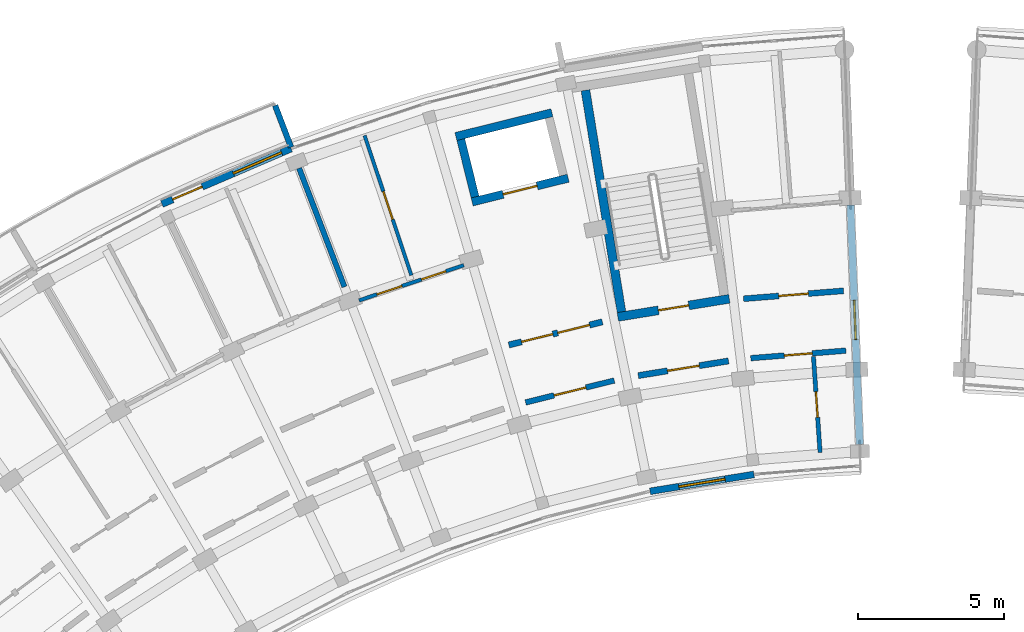
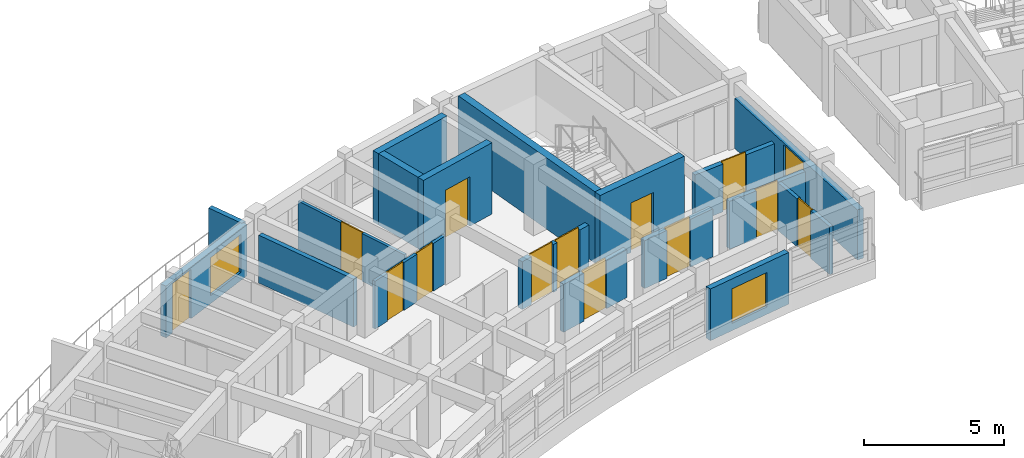
# One storey, part 26 of 40: 18 walls, 13 doors, 3 windows, 16 openings.
"""IFC4 building model written with IfcOpenShell, lengths in metres."""

from ifc_helpers import new_model, si_unit, direction, frame, frame_2d, origin, place, context, subcontext, project, spatial, rectangle, extrude, material, layer, layer_set, type_object, element, fill, save


model = new_model("IFC4")

# Units and contexts
model_context = context("Model", 3, precision=1e-05, world=origin(), true_north=direction((0.0, 1.0)))
body_context = subcontext(model_context, "Body", "Model", "MODEL_VIEW")
ifc_project = project(units=[si_unit("LENGTHUNIT", "METRE"), si_unit("AREAUNIT", "SQUARE_METRE"), si_unit("VOLUMEUNIT", "CUBIC_METRE"), si_unit("PLANEANGLEUNIT", "RADIAN"), si_unit("MASSUNIT", "GRAM", prefix="KILO")], contexts=[model_context])

# Site, building, storey
site_placement = place(None, origin())
site = spatial("IfcSite", under=ifc_project, at=site_placement, CompositionType="ELEMENT")
building_placement = place(site_placement, origin())
building = spatial("IfcBuilding", under=site, at=building_placement, Name="Zimvara Arc Housing Community", CompositionType="ELEMENT")
storey_placement = place(building_placement, frame((0.0, 0.0, 32.89990234375)))
storey = spatial("IfcBuildingStorey", under=building, at=storey_placement, Name="L10", CompositionType="ELEMENT", Elevation=32.89990234375)

# Wall, opening, window
ifc_material_1 = material(Name="Board-Marked Fair-Faced Concrete C35/45", Category="concrete")
ifc_layer_1 = layer(ifc_material_1, 0.22998046875)
ifc_layer_set_1 = layer_set([ifc_layer_1], Name="Board-Marked Fair-Faced Concrete C35/45")
wall_type_1 = type_object("IfcWallType", Name="EWL-CONC-230", PredefinedType="SOLIDWALL", material=ifc_layer_set_1)
wall_1_placement = place(storey_placement, frame((36.078125, 88.218017578125, 0.0), z_axis=(0.0, 0.0, 1.0), x_axis=(0.987080874485, 0.160222804952, 0.0)))
wall_1 = element("IfcWall", 1, at=wall_1_placement, inside=storey, type_object=wall_type_1, Name="ewall:blkA:L10:in:b8", PredefinedType="SOLIDWALL", context=body_context, shape_type="SweptSolid", body=[
    extrude(rectangle(XDim=3.603759765625, YDim=0.22998046875, at=frame_2d((1.8017578125, 0.0))), origin(), (0.0, 0.0, 1.0), 2.25),
])
opening_1_placement = place(wall_1_placement, frame((1.001708984375, 0.0, 0.320068359375)))
opening_1 = element("IfcOpeningElement", 2, at=opening_1_placement, cuts=wall_1, Name="Opening W03", PredefinedType="OPENING", context=body_context, shape_type="SweptSolid", body=[
    extrude(rectangle(XDim=1.60009765625, YDim=1.5, at=frame_2d((0.800048828125, 0.75))), frame((0.0, 0.125, 0.0), z_axis=(0.0, -1.0, 0.0), x_axis=(1.0, 0.0, 0.0)), (0.0, 0.0, 1.0), 0.25),
])
ifc_material_2 = material(Name="Solar Control Low-E Double Glazing", Category="glass")
window_type_1 = type_object("IfcWindowType", Name="WIN-RES-1600x1500", PartitioningType="DOUBLE_PANEL_VERTICAL", PredefinedType="WINDOW", material=ifc_material_2)
window_1_placement = place(opening_1_placement, origin())
window_1 = element("IfcWindow", 3, at=window_1_placement, inside=storey, type_object=window_type_1, Name="win:blkA:L10:in:b8", OverallHeight=1.5, OverallWidth=1.60009765625, PartitioningType="DOUBLE_PANEL_VERTICAL", PredefinedType="WINDOW", context=body_context, shape_type="SweptSolid", body=[
    extrude(rectangle(XDim=1.60009765625, YDim=1.5, at=frame_2d((0.800048828125, 0.75))), frame((0.0, 0.030029296875, 0.0), z_axis=(0.0, -1.0, 0.0), x_axis=(1.0, 0.0, 0.0)), (0.0, 0.0, 1.0), 0.06005859375),
])
fill(opening_1, window_1)

ifc_material_3 = material(Name="Board-Marked Fair-Faced Concrete C35/45", Category="concrete")
ifc_layer_2 = layer(ifc_material_3, 0.2548828125)
ifc_layer_set_2 = layer_set([ifc_layer_2], Name="Board-Marked Fair-Faced Concrete C35/45")
wall_type_2 = type_object("IfcWallType", Name="EWL-CONC-255", PredefinedType="SOLIDWALL", material=ifc_layer_set_2)
wall_2_placement = place(storey_placement, frame((43.2587890625, 89.82666015625, 0.0), z_axis=(0.0, 0.0, 1.0), x_axis=(-0.038407966241, 0.999262141847, 0.0)))
wall_2 = element("IfcWall", 4, at=wall_2_placement, inside=storey, type_object=wall_type_2, Name="ewall:blkA:L10:gN", PredefinedType="SOLIDWALL", context=body_context, shape_type="SweptSolid", body=[
    extrude(rectangle(XDim=8.199951171875, YDim=0.2548828125, at=frame_2d((4.10009765625, 0.0))), origin(), (0.0, 0.0, 1.0), 2.18017578125),
])
opening_2_placement = place(wall_2_placement, frame((3.590087890625, 0.0, 0.75)))
opening_2 = element("IfcOpeningElement", 5, at=opening_2_placement, cuts=wall_2, Name="Opening W12", PredefinedType="OPENING", context=body_context, shape_type="SweptSolid", body=[
    extrude(rectangle(XDim=1.35009765625, YDim=1.35009765625, at=frame_2d((0.675048828125, 0.675048828125))), frame((0.0, 0.137451171875, 0.0), z_axis=(0.0, -1.0, 0.0), x_axis=(1.0, 0.0, 0.0)), (0.0, 0.0, 1.0), 0.27490234375),
])
ifc_material_4 = material(Name="Solar Control Low-E Double Glazing", Category="glass")
window_type_2 = type_object("IfcWindowType", Name="WIN-RES-1350x1350", PartitioningType="DOUBLE_PANEL_VERTICAL", PredefinedType="WINDOW", material=ifc_material_4)
window_2_placement = place(opening_2_placement, origin())
window_2 = element("IfcWindow", 6, at=window_2_placement, inside=storey, type_object=window_type_2, Name="win:blkA:L10:gN:w", OverallHeight=1.35009765625, OverallWidth=1.35009765625, PartitioningType="DOUBLE_PANEL_VERTICAL", PredefinedType="WINDOW", context=body_context, shape_type="SweptSolid", body=[
    extrude(rectangle(XDim=1.35009765625, YDim=1.35009765625, at=frame_2d((0.675048828125, 0.675048828125))), frame((0.0, 0.030029296875, 0.0), z_axis=(0.0, -1.0, 0.0), x_axis=(1.0, 0.0, 0.0)), (0.0, 0.0, 1.0), 0.06005859375),
])
fill(opening_2, window_2)

# Wall
ifc_material_5 = material(Name="Board-Marked Fair-Faced Concrete C35/45", Category="concrete")
ifc_layer_3 = layer(ifc_material_5, 0.195068359375)
ifc_layer_set_3 = layer_set([ifc_layer_3], Name="Board-Marked Fair-Faced Concrete C35/45")
wall_type_3 = type_object("IfcWallType", Name="EWL-PARA-195", PredefinedType="PARAPET", material=ifc_layer_set_3)
wall_3_placement = place(storey_placement, frame((23.783203125, 100.0029296875, 0.0), z_axis=(0.0, 0.0, 1.0), x_axis=(-0.356957296461, 0.934120703391, 0.0)))
element("IfcWall", 7, at=wall_3_placement, inside=storey, type_object=wall_type_3, Name="finwall:blkA:L10:out:b6", PredefinedType="PARAPET", context=body_context, shape_type="SweptSolid", body=[
    extrude(rectangle(XDim=1.530029296875, YDim=0.195068359375, at=frame_2d((0.76513671875, 0.0))), origin(), (0.0, 0.0, 1.0), 2.25),
])

# Wall, openings, door, window
ifc_material_6 = material(Name="Board-Marked Fair-Faced Concrete C35/45", Category="concrete")
ifc_layer_4 = layer(ifc_material_6, 0.241943359375)
ifc_layer_set_4 = layer_set([ifc_layer_4], Name="Board-Marked Fair-Faced Concrete C35/45")
wall_type_4 = type_object("IfcWallType", Name="EWL-VAR-16", PredefinedType="SOLIDWALL", material=ifc_layer_set_4)
wall_4_placement = place(storey_placement, frame((19.361083984375, 98.05859375, 0.0), z_axis=(0.0, 0.0, 1.0), x_axis=(0.918711189033, 0.394930058548, 0.0)))
wall_4 = element("IfcWall", 8, at=wall_4_placement, inside=storey, type_object=wall_type_4, Name="ewall:blkA:L10:out:b5", PredefinedType="SOLIDWALL", context=body_context, shape_type="SweptSolid", body=[
    extrude(rectangle(XDim=4.808837890625, YDim=0.241943359375, at=frame_2d((2.404296875, 0.0))), origin(), (0.0, 0.0, 1.0), 2.25),
])
opening_3_placement = place(wall_4_placement, frame((0.39990234375, 0.0, 0.0)))
opening_3 = element("IfcOpeningElement", 9, at=opening_3_placement, cuts=wall_4, Name="Opening ED06", PredefinedType="OPENING", context=body_context, shape_type="SweptSolid", body=[
    extrude(rectangle(XDim=1.10009765625, YDim=2.14990234375, at=frame_2d((0.550048828125, 1.074951171875))), frame((0.0, 0.130859375, 0.0), z_axis=(0.0, -1.0, 0.0), x_axis=(1.0, 0.0, 0.0)), (0.0, 0.0, 1.0), 0.261962890625),
])
opening_4_placement = place(wall_4_placement, frame((2.658935546875, 0.0, 0.35009765625)))
opening_4 = element("IfcOpeningElement", 10, at=opening_4_placement, cuts=wall_4, Name="Opening W08", PredefinedType="OPENING", context=body_context, shape_type="SweptSolid", body=[
    extrude(rectangle(XDim=1.800048828125, YDim=1.64990234375, at=frame_2d((0.89990234375, 0.824951171875))), frame((0.0, 0.130859375, 0.0), z_axis=(0.0, -1.0, 0.0), x_axis=(1.0, 0.0, 0.0)), (0.0, 0.0, 1.0), 0.261962890625),
])
ifc_material_7 = material(Name="Anodised Aluminium AW-6063", Category="aluminium")
door_type_1 = type_object("IfcDoorType", Name="EDR-TERR-1100x2150", OperationType="NOTDEFINED", PredefinedType="DOOR", material=ifc_material_7)
door_1_placement = place(opening_3_placement, origin())
door_1 = element("IfcDoor", 11, at=door_1_placement, inside=storey, type_object=door_type_1, Name="edoor:blkA:L10:bal_out:b5", OperationType="SINGLE_SWING_LEFT", OverallHeight=2.14990234375, OverallWidth=1.10009765625, PredefinedType="DOOR", context=body_context, shape_type="SweptSolid", body=[
    extrude(rectangle(XDim=1.10009765625, YDim=2.14990234375, at=frame_2d((0.550048828125, 1.074951171875))), frame((0.0, 0.02490234375, 0.0), z_axis=(0.0, -1.0, 0.0), x_axis=(1.0, 0.0, 0.0)), (0.0, 0.0, 1.0), 0.050048828125),
])
fill(opening_3, door_1)
ifc_material_8 = material(Name="Solar Control Low-E Double Glazing", Category="glass")
window_type_3 = type_object("IfcWindowType", Name="WIN-RES-1800x1650", PartitioningType="TRIPLE_PANEL_VERTICAL", PredefinedType="WINDOW", material=ifc_material_8)
window_3_placement = place(opening_4_placement, origin())
window_3 = element("IfcWindow", 12, at=window_3_placement, inside=storey, type_object=window_type_3, Name="win:blkA:L10:out:b5:balw", OverallHeight=1.64990234375, OverallWidth=1.800048828125, PartitioningType="TRIPLE_PANEL_VERTICAL", PredefinedType="WINDOW", context=body_context, shape_type="SweptSolid", body=[
    extrude(rectangle(XDim=1.800048828125, YDim=1.64990234375, at=frame_2d((0.89990234375, 0.824951171875))), frame((0.0, 0.030029296875, 0.0), z_axis=(0.0, -1.0, 0.0), x_axis=(1.0, 0.0, 0.0)), (0.0, 0.0, 1.0), 0.06005859375),
])
fill(opening_4, window_3)

# Wall, openings, doors
ifc_material_9 = material(Name="Concrete C35/45", Category="concrete")
ifc_layer_5 = layer(ifc_material_9, 0.2099609375)
ifc_layer_set_5 = layer_set([ifc_layer_5], Name="Concrete C35/45")
wall_type_5 = type_object("IfcWallType", Name="IWL-CCF-210", PredefinedType="SOLIDWALL", material=ifc_layer_set_5)
wall_5_placement = place(storey_placement, frame((31.242919921875, 93.22998046875, 0.0), z_axis=(0.0, 0.0, 1.0), x_axis=(0.970719238682, 0.240216901263, 0.0)))
wall_5 = element("IfcWall", 13, at=wall_5_placement, inside=storey, type_object=wall_type_5, Name="iwall:blkA:L10:ll_div:b7", PredefinedType="SOLIDWALL", context=body_context, shape_type="SweptSolid", body=[
    extrude(rectangle(XDim=3.2958984375, YDim=0.2099609375, at=frame_2d((1.64794921875, 0.0))), origin(), (0.0, 0.0, 1.0), 2.080078125),
])
opening_5_placement = place(wall_5_placement, frame((0.449951171875, 0.0, 0.0)))
opening_5 = element("IfcOpeningElement", 14, at=opening_5_placement, cuts=wall_5, Name="Opening FD-CCF1", PredefinedType="OPENING", context=body_context, shape_type="SweptSolid", body=[
    extrude(rectangle(XDim=1.10009765625, YDim=2.14990234375, at=frame_2d((0.550048828125, 1.074951171875))), frame((0.0, 0.114990234375, 0.0), z_axis=(0.0, -1.0, 0.0), x_axis=(1.0, 0.0, 0.0)), (0.0, 0.0, 1.0), 0.22998046875),
])
opening_6_placement = place(wall_5_placement, frame((1.72607421875, 0.0, 0.0)))
opening_6 = element("IfcOpeningElement", 15, at=opening_6_placement, cuts=wall_5, Name="Opening D07", PredefinedType="OPENING", context=body_context, shape_type="SweptSolid", body=[
    extrude(rectangle(XDim=1.1201171875, YDim=2.14990234375, at=frame_2d((0.56005859375, 1.074951171875))), frame((0.0, 0.114990234375, 0.0), z_axis=(0.0, -1.0, 0.0), x_axis=(1.0, 0.0, 0.0)), (0.0, 0.0, 1.0), 0.22998046875),
])
ifc_material_10 = material(Name="Mozambican Hardwood", Category="wood")
door_type_2 = type_object("IfcDoorType", Name="IDR-AMN-1120x2150", OperationType="NOTDEFINED", PredefinedType="DOOR", material=ifc_material_10)
door_2_placement = place(opening_6_placement, origin())
door_2 = element("IfcDoor", 16, at=door_2_placement, inside=storey, type_object=door_type_2, Name="idoor:blkA:L10:rs_in:b7", OperationType="SINGLE_SWING_RIGHT", OverallHeight=2.14990234375, OverallWidth=1.1201171875, PredefinedType="DOOR", context=body_context, shape_type="SweptSolid", body=[
    extrude(rectangle(XDim=1.1201171875, YDim=2.14990234375, at=frame_2d((0.56005859375, 1.074951171875))), frame((0.0, 0.02490234375, 0.0), z_axis=(0.0, -1.0, 0.0), x_axis=(1.0, 0.0, 0.0)), (0.0, 0.0, 1.0), 0.050048828125),
])
fill(opening_6, door_2)
ifc_material_11 = material(Name="Anodised Aluminium AW-6063", Category="aluminium")
door_type_3 = type_object("IfcDoorType", Name="IDR-CCF-1100x2150", OperationType="NOTDEFINED", PredefinedType="DOOR", material=ifc_material_11)
door_3_placement = place(opening_5_placement, origin())
door_3 = element("IfcDoor", 17, at=door_3_placement, inside=storey, type_object=door_type_3, Name="idoor:blkA:L10:ll_in:b7", OperationType="SINGLE_SWING_LEFT", OverallHeight=2.14990234375, OverallWidth=1.10009765625, PredefinedType="DOOR", context=body_context, shape_type="SweptSolid", body=[
    extrude(rectangle(XDim=1.10009765625, YDim=2.14990234375, at=frame_2d((0.550048828125, 1.074951171875))), frame((0.0, 0.02490234375, 0.0), z_axis=(0.0, -1.0, 0.0), x_axis=(1.0, 0.0, 0.0)), (0.0, 0.0, 1.0), 0.050048828125),
])
fill(opening_5, door_3)

# Wall, opening, door
wall_6_placement = place(storey_placement, frame((35.675537109375, 92.181396484375, 0.0), z_axis=(0.0, 0.0, 1.0), x_axis=(0.98707079686, 0.160284877599, 0.0)))
wall_6 = element("IfcWall", 18, at=wall_6_placement, inside=storey, type_object=wall_type_5, Name="iwall:blkA:L10:ccf_div:b8", PredefinedType="SOLIDWALL", context=body_context, shape_type="SweptSolid", body=[
    extrude(rectangle(XDim=3.128662109375, YDim=0.2099609375, at=frame_2d((1.564453125, 0.0))), origin(), (0.0, 0.0, 1.0), 2.080078125),
])
opening_7_placement = place(wall_6_placement, frame((1.014404296875, 0.0, 0.0)))
opening_7 = element("IfcOpeningElement", 19, at=opening_7_placement, cuts=wall_6, Name="Opening FD-CCF1", PredefinedType="OPENING", context=body_context, shape_type="SweptSolid", body=[
    extrude(rectangle(XDim=1.10009765625, YDim=2.14990234375, at=frame_2d((0.550048828125, 1.074951171875))), frame((0.0, 0.114990234375, 0.0), z_axis=(0.0, -1.0, 0.0), x_axis=(1.0, 0.0, 0.0)), (0.0, 0.0, 1.0), 0.22998046875),
])
door_4_placement = place(opening_7_placement, origin())
door_4 = element("IfcDoor", 20, at=door_4_placement, inside=storey, type_object=door_type_3, Name="idoor:blkA:L10:ccf_in:b8", OperationType="SINGLE_SWING_RIGHT", OverallHeight=2.14990234375, OverallWidth=1.10009765625, PredefinedType="DOOR", context=body_context, shape_type="SweptSolid", body=[
    extrude(rectangle(XDim=1.10009765625, YDim=2.14990234375, at=frame_2d((0.550048828125, 1.074951171875))), frame((0.0, 0.02490234375, 0.0), z_axis=(0.0, -1.0, 0.0), x_axis=(1.0, 0.0, 0.0)), (0.0, 0.0, 1.0), 0.050048828125),
])
fill(opening_7, door_4)

ifc_material_12 = material(Name="Concrete C35/45", Category="concrete")
ifc_layer_6 = layer(ifc_material_12, 0.18994140625)
ifc_layer_set_6 = layer_set([ifc_layer_6], Name="Concrete C35/45")
wall_type_6 = type_object("IfcWallType", Name="IWL-CORR-190", PredefinedType="SOLIDWALL", material=ifc_layer_set_6)
wall_7_placement = place(storey_placement, frame((31.816162109375, 91.26171875, 0.0), z_axis=(0.0, 0.0, 1.0), x_axis=(0.970727194092, 0.240184751078, 0.0)))
wall_7 = element("IfcWall", 21, at=wall_7_placement, inside=storey, type_object=wall_type_6, Name="iwall:blkA:L10:ra_div:b7", PredefinedType="SOLIDWALL", context=body_context, shape_type="SweptSolid", body=[
    extrude(rectangle(XDim=3.128662109375, YDim=0.18994140625, at=frame_2d((1.564453125, 0.0))), origin(), (0.0, 0.0, 1.0), 2.080078125),
])
opening_8_placement = place(wall_7_placement, frame((1.00439453125, 0.0, 0.0)))
opening_8 = element("IfcOpeningElement", 22, at=opening_8_placement, cuts=wall_7, Name="Opening D07", PredefinedType="OPENING", context=body_context, shape_type="SweptSolid", body=[
    extrude(rectangle(XDim=1.1201171875, YDim=2.14990234375, at=frame_2d((0.56005859375, 1.074951171875))), frame((0.0, 0.10498046875, 0.0), z_axis=(0.0, -1.0, 0.0), x_axis=(1.0, 0.0, 0.0)), (0.0, 0.0, 1.0), 0.2099609375),
])
door_5_placement = place(opening_8_placement, origin())
door_5 = element("IfcDoor", 23, at=door_5_placement, inside=storey, type_object=door_type_2, Name="idoor:blkA:L10:ra_d:b7", OperationType="SINGLE_SWING_LEFT", OverallHeight=2.14990234375, OverallWidth=1.1201171875, PredefinedType="DOOR", context=body_context, shape_type="SweptSolid", body=[
    extrude(rectangle(XDim=1.1201171875, YDim=2.14990234375, at=frame_2d((0.56005859375, 1.074951171875))), frame((0.0, 0.02490234375, 0.0), z_axis=(0.0, -1.0, 0.0), x_axis=(1.0, 0.0, 0.0)), (0.0, 0.0, 1.0), 0.050048828125),
])
fill(opening_8, door_5)

wall_8_placement = place(storey_placement, frame((39.527099609375, 92.77783203125, 0.0), z_axis=(0.0, 0.0, 1.0), x_axis=(0.99686660806, 0.07910098441, 0.0)))
wall_8 = element("IfcWall", 24, at=wall_8_placement, inside=storey, type_object=wall_type_6, Name="iwall:blkA:L10:corr_in:b9", PredefinedType="SOLIDWALL", context=body_context, shape_type="SweptSolid", body=[
    extrude(rectangle(XDim=3.2685546875, YDim=0.18994140625, at=frame_2d((1.63427734375, 0.0))), origin(), (0.0, 0.0, 1.0), 2.080078125),
])
opening_9_placement = place(wall_8_placement, frame((1.154296875, 0.0, 0.0)))
opening_9 = element("IfcOpeningElement", 25, at=opening_9_placement, cuts=wall_8, Name="Opening D04", PredefinedType="OPENING", context=body_context, shape_type="SweptSolid", body=[
    extrude(rectangle(XDim=0.9599609375, YDim=2.10009765625, at=frame_2d((0.47998046875, 1.050048828125))), frame((0.0, 0.10498046875, 0.0), z_axis=(0.0, -1.0, 0.0), x_axis=(1.0, 0.0, 0.0)), (0.0, 0.0, 1.0), 0.2099609375),
])
ifc_material_13 = material(Name="Mozambican Hardwood", Category="wood")
door_type_4 = type_object("IfcDoorType", Name="IDR-RM-0960x2100", OperationType="NOTDEFINED", PredefinedType="DOOR", material=ifc_material_13)
door_6_placement = place(opening_9_placement, origin())
door_6 = element("IfcDoor", 26, at=door_6_placement, inside=storey, type_object=door_type_4, Name="idoor:blkA:L10:in_rm:b9", OperationType="SINGLE_SWING_RIGHT", OverallHeight=2.10009765625, OverallWidth=0.9599609375, PredefinedType="DOOR", context=body_context, shape_type="SweptSolid", body=[
    extrude(rectangle(XDim=0.9599609375, YDim=2.10009765625, at=frame_2d((0.47998046875, 1.050048828125))), frame((0.0, 0.02490234375, 0.0), z_axis=(0.0, -1.0, 0.0), x_axis=(1.0, 0.0, 0.0)), (0.0, 0.0, 1.0), 0.050048828125),
])
fill(opening_9, door_6)

ifc_material_14 = material(Name="Concrete C35/45", Category="concrete")
ifc_layer_7 = layer(ifc_material_14, 0.199951171875)
ifc_layer_set_7 = layer_set([ifc_layer_7], Name="Concrete C35/45")
wall_type_7 = type_object("IfcWallType", Name="IWL-CORR-200", PredefinedType="SOLIDWALL", material=ifc_layer_set_7)
wall_9_placement = place(storey_placement, frame((39.281494140625, 94.81298828125, 0.0), z_axis=(0.0, 0.0, 1.0), x_axis=(0.996862545573, 0.079152165058, 0.0)))
wall_9 = element("IfcWall", 27, at=wall_9_placement, inside=storey, type_object=wall_type_7, Name="iwall:blkA:L10:corr_out:b9", PredefinedType="SOLIDWALL", context=body_context, shape_type="SweptSolid", body=[
    extrude(rectangle(XDim=3.43603515625, YDim=0.199951171875, at=frame_2d((1.718017578125, 0.0))), origin(), (0.0, 0.0, 1.0), 2.080078125),
])
opening_10_placement = place(wall_9_placement, frame((1.2080078125, 0.0, 0.0)))
opening_10 = element("IfcOpeningElement", 28, at=opening_10_placement, cuts=wall_9, Name="Opening FD-FL2", PredefinedType="OPENING", context=body_context, shape_type="SweptSolid", body=[
    extrude(rectangle(XDim=1.02001953125, YDim=2.14990234375, at=frame_2d((0.510009765625, 1.074951171875))), frame((0.0, 0.10986328125, 0.0), z_axis=(0.0, -1.0, 0.0), x_axis=(1.0, 0.0, 0.0)), (0.0, 0.0, 1.0), 0.219970703125),
])
ifc_material_15 = material(Name="Mozambican Hardwood", Category="wood")
door_type_5 = type_object("IfcDoorType", Name="IDR-FLAT-1020x2150", OperationType="NOTDEFINED", PredefinedType="DOOR", material=ifc_material_15)
door_7_placement = place(opening_10_placement, origin())
door_7 = element("IfcDoor", 29, at=door_7_placement, inside=storey, type_object=door_type_5, Name="idoor:blkA:L10:flat:b9", OperationType="SINGLE_SWING_LEFT", OverallHeight=2.14990234375, OverallWidth=1.02001953125, PredefinedType="DOOR", context=body_context, shape_type="SweptSolid", body=[
    extrude(rectangle(XDim=1.02001953125, YDim=2.14990234375, at=frame_2d((0.510009765625, 1.074951171875))), frame((0.0, 0.02490234375, 0.0), z_axis=(0.0, -1.0, 0.0), x_axis=(1.0, 0.0, 0.0)), (0.0, 0.0, 1.0), 0.050048828125),
])
fill(opening_10, door_7)

# Wall
ifc_material_16 = material(Name="Concrete C35/45", Category="concrete")
ifc_layer_8 = layer(ifc_material_16, 0.18505859375)
ifc_layer_set_8 = layer_set([ifc_layer_8], Name="Concrete C35/45")
wall_type_8 = type_object("IfcWallType", Name="IWL-FLAT-185", PredefinedType="SOLIDWALL", material=ifc_layer_set_8)
wall_10_placement = place(storey_placement, frame((25.611328125, 95.220458984375, 0.0), z_axis=(0.0, 0.0, 1.0), x_axis=(-0.357064016205, 0.934079915388, 0.0)))
element("IfcWall", 30, at=wall_10_placement, inside=storey, type_object=wall_type_8, Name="iwall:blkA:L10:party:b6", PredefinedType="SOLIDWALL", context=body_context, shape_type="SweptSolid", body=[
    extrude(rectangle(XDim=4.35009765625, YDim=0.18505859375, at=frame_2d((2.175048828125, 0.0))), origin(), (0.0, 0.0, 1.0), 2.080078125),
])

# Wall, opening, door
ifc_material_17 = material(Name="Painted Acoustic Plasterboard")
ifc_layer_9 = layer(ifc_material_17, 0.1201171875)
ifc_layer_set_9 = layer_set([ifc_layer_9], Name="Painted Acoustic Plasterboard")
wall_type_9 = type_object("IfcWallType", Name="IWL-PART-120", PredefinedType="PARTITIONING", material=ifc_layer_set_9)
wall_11_placement = place(storey_placement, frame((27.903076171875, 95.616455078125, 0.0), z_axis=(0.0, 0.0, 1.0), x_axis=(-0.31722829501, 0.948349201953, 0.0)))
wall_11 = element("IfcWall", 31, at=wall_11_placement, inside=storey, type_object=wall_type_9, Name="iwall:blkA:L10:bed_div:b6", PredefinedType="PARTITIONING", context=body_context, shape_type="SweptSolid", body=[
    extrude(rectangle(XDim=5.050048828125, YDim=0.1201171875, at=frame_2d((2.52490234375, 0.0))), origin(), (0.0, 0.0, 1.0), 2.080078125),
])
opening_11_placement = place(wall_11_placement, frame((2.02001953125, 0.0, 0.0)))
opening_11 = element("IfcOpeningElement", 32, at=opening_11_placement, cuts=wall_11, Name="Opening D15", PredefinedType="OPENING", context=body_context, shape_type="SweptSolid", body=[
    extrude(rectangle(XDim=1.010009765625, YDim=2.10009765625, at=frame_2d((0.5048828125, 1.050048828125))), frame((0.0, 0.070068359375, 0.0), z_axis=(0.0, -1.0, 0.0), x_axis=(1.0, 0.0, 0.0)), (0.0, 0.0, 1.0), 0.14013671875),
])
ifc_material_18 = material(Name="Mozambican Hardwood", Category="wood")
door_type_6 = type_object("IfcDoorType", Name="IDR-MOD-1010x2160", OperationType="NOTDEFINED", PredefinedType="DOOR", material=ifc_material_18)
door_8_placement = place(opening_11_placement, origin())
door_8 = element("IfcDoor", 33, at=door_8_placement, inside=storey, type_object=door_type_6, Name="idoor:blkA:L10:bed_d:b6", OperationType="SINGLE_SWING_RIGHT", OverallHeight=2.10009765625, OverallWidth=1.010009765625, PredefinedType="DOOR", context=body_context, shape_type="SweptSolid", body=[
    extrude(rectangle(XDim=1.010009765625, YDim=2.10009765625, at=frame_2d((0.5048828125, 1.050048828125))), frame((0.0, 0.02490234375, 0.0), z_axis=(0.0, -1.0, 0.0), x_axis=(1.0, 0.0, 0.0)), (0.0, 0.0, 1.0), 0.050048828125),
])
fill(opening_11, door_8)

# Wall, openings, doors
ifc_material_19 = material(Name="Painted Acoustic Plasterboard")
ifc_layer_10 = layer(ifc_material_19, 0.125)
ifc_layer_set_10 = layer_set([ifc_layer_10], Name="Painted Acoustic Plasterboard")
wall_type_10 = type_object("IfcWallType", Name="IWL-PART-125", PredefinedType="PARTITIONING", material=ifc_layer_set_10)
wall_12_placement = place(storey_placement, frame((26.110107421875, 94.755615234375, 0.0), z_axis=(0.0, 0.0, 1.0), x_axis=(0.947873924847, 0.318645606584, 0.0)))
wall_12 = element("IfcWall", 34, at=wall_12_placement, inside=storey, type_object=wall_type_10, Name="iwall:blkA:L10:srv:b6", PredefinedType="PARTITIONING", context=body_context, shape_type="SweptSolid", body=[
    extrude(rectangle(XDim=3.784912109375, YDim=0.125, at=frame_2d((1.892578125, 0.0))), origin(), (0.0, 0.0, 1.0), 2.080078125),
])
opening_12_placement = place(wall_12_placement, frame((0.64990234375, 0.0, 0.0)))
opening_12 = element("IfcOpeningElement", 35, at=opening_12_placement, cuts=wall_12, Name="Opening D01", PredefinedType="OPENING", context=body_context, shape_type="SweptSolid", body=[
    extrude(rectangle(XDim=0.89990234375, YDim=2.10009765625, at=frame_2d((0.449951171875, 1.050048828125))), frame((0.0, 0.072509765625, 0.0), z_axis=(0.0, -1.0, 0.0), x_axis=(1.0, 0.0, 0.0)), (0.0, 0.0, 1.0), 0.14501953125),
])
opening_13_placement = place(wall_12_placement, frame((2.255126953125, 0.0, 0.0)))
opening_13 = element("IfcOpeningElement", 36, at=opening_13_placement, cuts=wall_12, Name="Opening D05", PredefinedType="OPENING", context=body_context, shape_type="SweptSolid", body=[
    extrude(rectangle(XDim=0.8798828125, YDim=2.10009765625, at=frame_2d((0.43994140625, 1.050048828125))), frame((0.0, 0.072509765625, 0.0), z_axis=(0.0, -1.0, 0.0), x_axis=(1.0, 0.0, 0.0)), (0.0, 0.0, 1.0), 0.14501953125),
])
ifc_material_20 = material(Name="Mozambican Hardwood", Category="wood")
door_type_7 = type_object("IfcDoorType", Name="IDR-RM-0900x2100", OperationType="NOTDEFINED", PredefinedType="DOOR", material=ifc_material_20)
door_9_placement = place(opening_12_placement, origin())
door_9 = element("IfcDoor", 37, at=door_9_placement, inside=storey, type_object=door_type_7, Name="idoor:blkA:L10:kit_liv:b6", OperationType="SINGLE_SWING_RIGHT", OverallHeight=2.10009765625, OverallWidth=0.89990234375, PredefinedType="DOOR", context=body_context, shape_type="SweptSolid", body=[
    extrude(rectangle(XDim=0.89990234375, YDim=2.10009765625, at=frame_2d((0.449951171875, 1.050048828125))), frame((0.0, 0.02490234375, 0.0), z_axis=(0.0, -1.0, 0.0), x_axis=(1.0, 0.0, 0.0)), (0.0, 0.0, 1.0), 0.050048828125),
])
fill(opening_12, door_9)
ifc_material_21 = material(Name="Mozambican Hardwood", Category="wood")
door_type_8 = type_object("IfcDoorType", Name="IDR-WC-0880x2100", OperationType="NOTDEFINED", PredefinedType="DOOR", material=ifc_material_21)
door_10_placement = place(opening_13_placement, origin())
door_10 = element("IfcDoor", 38, at=door_10_placement, inside=storey, type_object=door_type_8, Name="idoor:blkA:L10:bath_d:b6", OperationType="SINGLE_SWING_LEFT", OverallHeight=2.10009765625, OverallWidth=0.8798828125, PredefinedType="DOOR", context=body_context, shape_type="SweptSolid", body=[
    extrude(rectangle(XDim=0.8798828125, YDim=2.10009765625, at=frame_2d((0.43994140625, 1.050048828125))), frame((0.0, 0.02490234375, 0.0), z_axis=(0.0, -1.0, 0.0), x_axis=(1.0, 0.0, 0.0)), (0.0, 0.0, 1.0), 0.050048828125),
])
fill(opening_13, door_10)

# Wall, opening, door
ifc_material_22 = material(Name="Painted Acoustic Plasterboard")
ifc_layer_11 = layer(ifc_material_22, 0.14501953125)
ifc_layer_set_11 = layer_set([ifc_layer_11], Name="Painted Acoustic Plasterboard")
wall_type_11 = type_object("IfcWallType", Name="IWL-WET-145", PredefinedType="PARTITIONING", material=ifc_layer_set_11)
wall_13_placement = place(storey_placement, frame((41.9013671875, 89.54345703125, 0.0), z_axis=(0.0, 0.0, 1.0), x_axis=(-0.068581194944, 0.997645538105, 0.0)))
wall_13 = element("IfcWall", 39, at=wall_13_placement, inside=storey, type_object=wall_type_11, Name="iwall:blkA:L10:ens:b9", PredefinedType="PARTITIONING", context=body_context, shape_type="SweptSolid", body=[
    extrude(rectangle(XDim=3.300048828125, YDim=0.14501953125, at=frame_2d((1.64990234375, 0.0))), origin(), (0.0, 0.0, 1.0), 2.080078125),
])
opening_14_placement = place(wall_13_placement, frame((1.2099609375, 0.0, 0.0)))
opening_14 = element("IfcOpeningElement", 40, at=opening_14_placement, cuts=wall_13, Name="Opening D05", PredefinedType="OPENING", context=body_context, shape_type="SweptSolid", body=[
    extrude(rectangle(XDim=0.8798828125, YDim=2.10009765625, at=frame_2d((0.43994140625, 1.050048828125))), frame((0.0, 0.08251953125, 0.0), z_axis=(0.0, -1.0, 0.0), x_axis=(1.0, 0.0, 0.0)), (0.0, 0.0, 1.0), 0.1650390625),
])
door_11_placement = place(opening_14_placement, origin())
door_11 = element("IfcDoor", 41, at=door_11_placement, inside=storey, type_object=door_type_8, Name="idoor:blkA:L10:ens_d:b9", OperationType="SINGLE_SWING_LEFT", OverallHeight=2.10009765625, OverallWidth=0.8798828125, PredefinedType="DOOR", context=body_context, shape_type="SweptSolid", body=[
    extrude(rectangle(XDim=0.8798828125, YDim=2.10009765625, at=frame_2d((0.43994140625, 1.050048828125))), frame((0.0, 0.02490234375, 0.0), z_axis=(0.0, -1.0, 0.0), x_axis=(1.0, 0.0, 0.0)), (0.0, 0.0, 1.0), 0.050048828125),
])
fill(opening_14, door_11)

ifc_material_23 = material(Name="Concrete C40/50", Category="concrete")
ifc_layer_12 = layer(ifc_material_23, 0.280029296875)
ifc_layer_set_12 = layer_set([ifc_layer_12], Name="Concrete C40/50")
wall_type_12 = type_object("IfcWallType", Name="WL-CORE-280", PredefinedType="SHEAR", material=ifc_layer_set_12)
wall_14_placement = place(storey_placement, frame((33.27294921875, 98.942138671875, 0.0), z_axis=(0.0, 0.0, 1.0), x_axis=(-0.970707542441, -0.240264160972, 0.0)))
wall_14 = element("IfcWall", 42, at=wall_14_placement, inside=storey, type_object=wall_type_12, Name="lwall:LF-A2:L10:front", PredefinedType="SHEAR", context=body_context, shape_type="SweptSolid", body=[
    extrude(rectangle(XDim=3.389892578125, YDim=0.280029296875, at=frame_2d((1.69482421875, 0.0))), origin(), (0.0, 0.0, 1.0), 3.10009765625),
])
opening_15_placement = place(wall_14_placement, frame((1.094970703125, 0.0, 0.0)))
opening_15 = element("IfcOpeningElement", 43, at=opening_15_placement, cuts=wall_14, Name="Opening LD-LF-A2", PredefinedType="OPENING", context=body_context, shape_type="SweptSolid", body=[
    extrude(rectangle(XDim=1.199951171875, YDim=2.14990234375, at=frame_2d((0.60009765625, 1.074951171875))), frame((0.0, 0.14990234375, 0.0), z_axis=(0.0, -1.0, 0.0), x_axis=(1.0, 0.0, 0.0)), (0.0, 0.0, 1.0), 0.300048828125),
])
ifc_material_24 = material(Name="Anodised Aluminium AW-6063", Category="aluminium")
door_type_9 = type_object("IfcDoorType", Name="IDR-LD-1200x2150", OperationType="DOUBLE_DOOR_SLIDING", PredefinedType="DOOR", material=ifc_material_24)
door_12_placement = place(opening_15_placement, origin())
door_12 = element("IfcDoor", 44, at=door_12_placement, inside=storey, type_object=door_type_9, Name="Lift LF-A2 Sliding Landing Door L10", OperationType="DOUBLE_DOOR_SLIDING", OverallHeight=2.14990234375, OverallWidth=1.199951171875, PredefinedType="DOOR", context=body_context, shape_type="SweptSolid", body=[
    extrude(rectangle(XDim=1.199951171875, YDim=2.14990234375, at=frame_2d((0.60009765625, 1.074951171875))), frame((0.0, 0.02490234375, 0.0), z_axis=(0.0, -1.0, 0.0), x_axis=(1.0, 0.0, 0.0)), (0.0, 0.0, 1.0), 0.050048828125),
])
fill(opening_15, door_12)

# Walls
wall_15_placement = place(storey_placement, frame((32.71826171875, 101.1845703125, 0.0), z_axis=(0.0, 0.0, 1.0), x_axis=(-0.970711699588, -0.240247364777, 0.0)))
element("IfcWall", 45, at=wall_15_placement, inside=storey, type_object=wall_type_12, Name="lwall:LF-A2:L10:back", PredefinedType="SHEAR", context=body_context, shape_type="SweptSolid", body=[
    extrude(rectangle(XDim=3.39013671875, YDim=0.280029296875, at=frame_2d((1.695068359375, 0.0))), origin(), (0.0, 0.0, 1.0), 3.10009765625),
])
wall_16_placement = place(storey_placement, frame((30.084716796875, 98.29736328125, 0.0), z_axis=(0.0, 0.0, 1.0), x_axis=(-0.2402993748, 0.970698825832, 0.0)))
element("IfcWall", 46, at=wall_16_placement, inside=storey, type_object=wall_type_12, Name="lwall:LF-A2:L10:right", PredefinedType="SHEAR", context=body_context, shape_type="SweptSolid", body=[
    extrude(rectangle(XDim=2.030029296875, YDim=0.280029296875, at=frame_2d((1.01513671875, 0.0))), origin(), (0.0, 0.0, 1.0), 3.10009765625),
])

# Wall, opening, door
ifc_material_25 = material(Name="Concrete C40/50", Category="concrete")
ifc_layer_13 = layer(ifc_material_25, 0.300048828125)
ifc_layer_set_13 = layer_set([ifc_layer_13], Name="Concrete C40/50")
wall_type_13 = type_object("IfcWallType", Name="WL-CORE-300", PredefinedType="SHEAR", material=ifc_layer_set_13)
wall_17_placement = place(storey_placement, frame((38.793701171875, 94.810546875, 0.0), z_axis=(0.0, 0.0, 1.0), x_axis=(-0.987077443397, -0.160243941341, 0.0)))
wall_17 = element("IfcWall", 47, at=wall_17_placement, inside=storey, type_object=wall_type_13, Name="cwall:ST-A2:L10:near", PredefinedType="SHEAR", context=body_context, shape_type="SweptSolid", body=[
    extrude(rectangle(XDim=3.869873046875, YDim=0.300048828125, at=frame_2d((1.93505859375, 0.0))), origin(), (0.0, 0.0, 1.0), 3.10009765625),
])
opening_16_placement = place(wall_17_placement, frame((1.409912109375, 0.0, 0.0)))
opening_16 = element("IfcOpeningElement", 48, at=opening_16_placement, cuts=wall_17, Name="Opening FD-ST2", PredefinedType="OPENING", context=body_context, shape_type="SweptSolid", body=[
    extrude(rectangle(XDim=1.050048828125, YDim=2.14990234375, at=frame_2d((0.52490234375, 1.074951171875))), frame((0.0, 0.159912109375, 0.0), z_axis=(0.0, -1.0, 0.0), x_axis=(1.0, 0.0, 0.0)), (0.0, 0.0, 1.0), 0.320068359375),
])
ifc_material_26 = material(Name="Anodised Aluminium AW-6063", Category="aluminium")
door_type_10 = type_object("IfcDoorType", Name="IDR-ST-1050x2150", OperationType="NOTDEFINED", PredefinedType="DOOR", material=ifc_material_26)
door_13_placement = place(opening_16_placement, origin())
door_13 = element("IfcDoor", 49, at=door_13_placement, inside=storey, type_object=door_type_10, Name="idoor:ST-A2:L10:entry", OperationType="SINGLE_SWING_RIGHT", OverallHeight=2.14990234375, OverallWidth=1.050048828125, PredefinedType="DOOR", context=body_context, shape_type="SweptSolid", body=[
    extrude(rectangle(XDim=1.050048828125, YDim=2.14990234375, at=frame_2d((0.52490234375, 1.074951171875))), frame((0.0, 0.02490234375, 0.0), z_axis=(0.0, -1.0, 0.0), x_axis=(1.0, 0.0, 0.0)), (0.0, 0.0, 1.0), 0.050048828125),
])
fill(opening_16, door_13)

# Wall
wall_18_placement = place(storey_placement, frame((35.097900390625, 94.362548828125, 0.0), z_axis=(0.0, 0.0, 1.0), x_axis=(-0.160227496777, 0.987080112897, 0.0)))
element("IfcWall", 50, at=wall_18_placement, inside=storey, type_object=wall_type_13, Name="cwall:ST-A2:L10:right", PredefinedType="SHEAR", context=body_context, shape_type="SweptSolid", body=[
    extrude(rectangle(XDim=7.690185546875, YDim=0.300048828125, at=frame_2d((3.84521484375, 0.0))), origin(), (0.0, 0.0, 1.0), 3.10009765625),
])

save(model, "model.ifc")
